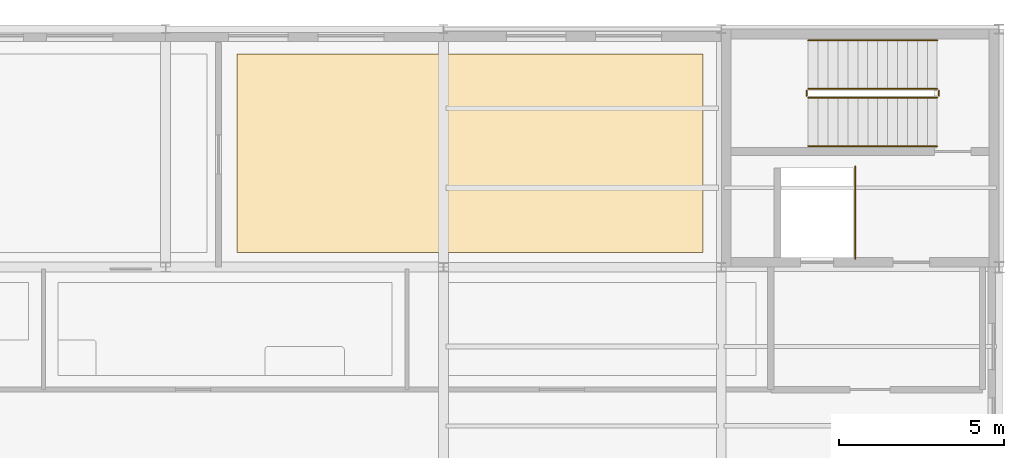
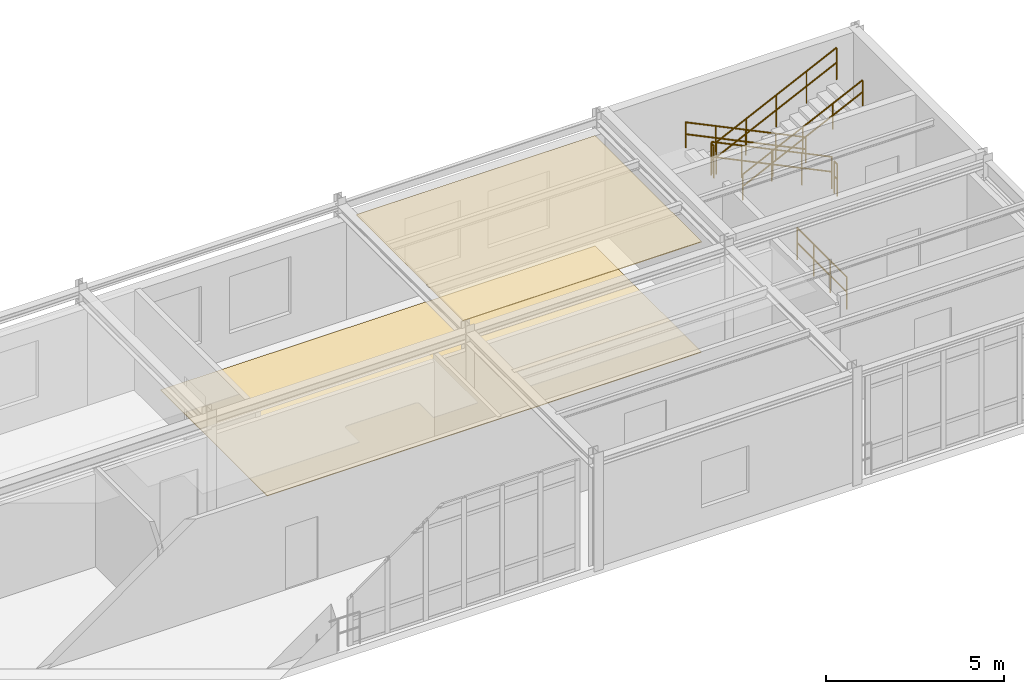
# One storey, part 20 of 20: 7 railings, 2 coverings.
"""IFC4 building model written with IfcOpenShell, lengths in metres."""

from ifc_helpers import new_model, si_unit, derived_unit, direction, frame, origin, origin_2d, place, context, subcontext, project, spatial, polyline, circle, outline, extrude, material, layer, layer_set, type_object, element, save


model = new_model("IFC4")

# Units and contexts
model_context = context("Model", 3, precision=1e-05, world=origin(), true_north=direction((0.0, 1.0)))
body_context = subcontext(model_context, "Body", "Model", "MODEL_VIEW")
ifc_project = project(units=[si_unit("LENGTHUNIT", "METRE"), si_unit("AREAUNIT", "SQUARE_METRE"), si_unit("VOLUMEUNIT", "CUBIC_METRE"), si_unit("PLANEANGLEUNIT", "RADIAN"), si_unit("MASSUNIT", "GRAM", prefix="KILO"), derived_unit("THERMALTRANSMITTANCEUNIT", [(si_unit("POWERUNIT", "WATT"), 1), (si_unit("AREAUNIT", "SQUARE_METRE"), -1), (si_unit("THERMODYNAMICTEMPERATUREUNIT", "KELVIN"), -1)])], contexts=[model_context])

# Site, building, storey
site_placement = place(None, origin())
site = spatial("IfcSite", under=ifc_project, at=site_placement, CompositionType="ELEMENT")
building_placement = place(site_placement, origin())
building = spatial("IfcBuilding", under=site, at=building_placement, Name="Yasenodar Specialist Clinic", CompositionType="ELEMENT")
storey_placement = place(building_placement, frame((0.0, 0.0, 25.35009765625)))
storey = spatial("IfcBuildingStorey", under=building, at=storey_placement, Name="L06", CompositionType="ELEMENT", Elevation=25.35009765625)

# Coverings
ifc_material_1 = material(Name="Hygienic Acoustic Mineral-Fibre Ceiling")
ifc_layer_1 = layer(ifc_material_1, 0.02490234375)
ifc_layer_set_1 = layer_set([ifc_layer_1], Name="Hygienic Acoustic Mineral-Fibre Ceiling")
covering_type_1 = type_object("IfcCoveringType", Name="COV-CEIL-AC", PredefinedType="CEILING", material=ifc_layer_set_1)
covering_1_placement = place(storey_placement, frame((0.0, 0.0, 3.784912109375)))
element("IfcCovering", 1, at=covering_1_placement, inside=storey, type_object=covering_type_1, Name="L06 Medical Ethics Seminar Room Acoustic Ceiling", PredefinedType="CEILING", context=body_context, shape_type="SweptSolid", body=[
    extrude(outline(polyline([(112.85009765625, 104.85009765625), (105.10009765625, 104.85009765625), (105.10009765625, 110.85009765625), (112.85009765625, 110.85009765625), (112.85009765625, 104.85009765625)])), origin(), (0.0, 0.0, 1.0), 0.02490234375),
])
ifc_material_2 = material(Name="Seamless Epoxy Terrazzo Clinical Flooring")
ifc_layer_2 = layer(ifc_material_2, 0.02001953125)
ifc_layer_set_2 = layer_set([ifc_layer_2], Name="Seamless Epoxy Terrazzo Clinical Flooring")
covering_type_2 = type_object("IfcCoveringType", Name="COV-FLR-TERR", PredefinedType="FLOORING", material=ifc_layer_set_2)
covering_2_placement = place(storey_placement, origin())
element("IfcCovering", 2, at=covering_2_placement, inside=storey, type_object=covering_type_2, Name="L06 Medical Ethics Seminar Room Terrazzo Flooring", PredefinedType="FLOORING", context=body_context, shape_type="SweptSolid", body=[
    extrude(outline(polyline([(112.85009765625, 104.85009765625), (98.75, 104.85009765625), (98.75, 110.85009765625), (112.85009765625, 110.85009765625), (112.85009765625, 104.85009765625)])), origin(), (0.0, 0.0, 1.0), 0.02001953125),
])

# Railings
ifc_material_3 = material(Name="Steel S355 Painted Guardrail", Category="steel")
railing_type_1 = type_object("IfcRailingType", Name="RL-GRD-1120", PredefinedType="GUARDRAIL", material=ifc_material_3)
railing_1_placement = place(storey_placement, frame((117.449951171875, 104.64990234375, 0.0)))
element("IfcRailing", 3, at=railing_1_placement, inside=storey, type_object=railing_type_1, Name="L06 Core C5 Lift LF-08 Shaft Guardrail", PredefinedType="GUARDRAIL", context=body_context, shape_type="SweptSolid", body=[
    extrude(circle(Radius=0.02392578125, at=origin_2d()), frame((0.0, 0.0, 1.09619140625), z_axis=(0.0, 1.0, 0.0), x_axis=(-1.0, 0.0, 0.0)), (0.0, 0.0, 1.0), 2.800048828125),
    extrude(circle(Radius=0.02392578125, at=origin_2d()), frame((0.0, 0.0, 0.58251953125), z_axis=(0.0, 1.0, 0.0), x_axis=(-1.0, 0.0, 0.0)), (0.0, 0.0, 1.0), 2.800048828125),
    extrude(circle(Radius=0.02099609375, at=origin_2d()), origin(), (0.0, 0.0, 1.0), 1.072021484375),
    extrude(circle(Radius=0.02099609375, at=origin_2d()), frame((0.0, 0.933349609375, 0.0)), (0.0, 0.0, 1.0), 1.072021484375),
    extrude(circle(Radius=0.02099609375, at=origin_2d()), frame((0.0, 1.86669921875, 0.0)), (0.0, 0.0, 1.0), 1.072021484375),
    extrude(circle(Radius=0.02099609375, at=origin_2d()), frame((0.0, 2.800048828125, 0.0)), (0.0, 0.0, 1.0), 1.072021484375),
])
ifc_material_4 = material(Name="Steel S355 Painted Stair Guardrail", Category="steel")
railing_type_2 = type_object("IfcRailingType", Name="RL-ST-GRD", PredefinedType="GUARDRAIL", material=ifc_material_4)
railing_2_placement = place(storey_placement, frame((119.929931640625, 109.7900390625, 0.14453125)))
element("IfcRailing", 4, at=railing_2_placement, inside=storey, type_object=railing_type_2, Name="L06 ST-05 stair guard 1", PredefinedType="GUARDRAIL", context=body_context, shape_type="SweptSolid", body=[
    extrude(circle(Radius=0.02392578125, at=origin_2d()), frame((0.0, 0.0, 1.09619140625), z_axis=(-0.900763166376, 0.0, 0.434310623978), x_axis=(0.0, -1.0, 0.0)), (0.0, 0.0, 1.0), 4.32958984375),
    extrude(circle(Radius=0.02392578125, at=origin_2d()), frame((0.0, 0.0, 0.58251953125), z_axis=(-0.900763166376, 0.0, 0.434310623978), x_axis=(0.0, -1.0, 0.0)), (0.0, 0.0, 1.0), 4.32958984375),
    extrude(circle(Radius=0.02099609375, at=origin_2d()), origin(), (0.0, 0.0, 1.0), 1.072021484375),
    extrude(circle(Radius=0.02099609375, at=origin_2d()), frame((-0.97509765625, 0.0, 0.47021484375)), (0.0, 0.0, 1.0), 1.072021484375),
    extrude(circle(Radius=0.02099609375, at=origin_2d()), frame((-1.949951171875, 0.0, 0.940185546875)), (0.0, 0.0, 1.0), 1.072021484375),
    extrude(circle(Radius=0.02099609375, at=origin_2d()), frame((-2.9248046875, 0.0, 1.41015625)), (0.0, 0.0, 1.0), 1.072021484375),
    extrude(circle(Radius=0.02099609375, at=origin_2d()), frame((-3.89990234375, 0.0, 1.88037109375)), (0.0, 0.0, 1.0), 1.072021484375),
])
railing_3_placement = place(storey_placement, frame((115.97998046875, 109.739990234375, 2.02490234375)))
element("IfcRailing", 5, at=railing_3_placement, inside=storey, type_object=railing_type_2, Name="L06 ST-05 stair guard 2", PredefinedType="GUARDRAIL", context=body_context, shape_type="SweptSolid", body=[
    extrude(circle(Radius=0.02392578125, at=origin_2d()), frame((0.0, 0.0, 1.09619140625), z_axis=(0.0, -1.0, 0.0), x_axis=(1.0, 0.0, 0.0)), (0.0, 0.0, 1.0), 0.159912109375),
    extrude(circle(Radius=0.02392578125, at=origin_2d()), frame((0.0, 0.0, 0.58251953125), z_axis=(0.0, -1.0, 0.0), x_axis=(1.0, 0.0, 0.0)), (0.0, 0.0, 1.0), 0.159912109375),
    extrude(circle(Radius=0.02099609375, at=origin_2d()), origin(), (0.0, 0.0, 1.0), 1.072021484375),
    extrude(circle(Radius=0.02099609375, at=origin_2d()), frame((0.0, -0.159912109375, 0.0)), (0.0, 0.0, 1.0), 1.072021484375),
])
railing_4_placement = place(storey_placement, frame((116.030029296875, 109.530029296875, 2.16943359375)))
element("IfcRailing", 6, at=railing_4_placement, inside=storey, type_object=railing_type_2, Name="L06 ST-05 stair guard 3", PredefinedType="GUARDRAIL", context=body_context, shape_type="SweptSolid", body=[
    extrude(circle(Radius=0.02392578125, at=origin_2d()), frame((0.0, 0.0, 1.09619140625), z_axis=(0.900763166376, 0.0, 0.434310623978), x_axis=(0.0, 1.0, 0.0)), (0.0, 0.0, 1.0), 4.32958984375),
    extrude(circle(Radius=0.02392578125, at=origin_2d()), frame((0.0, 0.0, 0.58251953125), z_axis=(0.900763166376, 0.0, 0.434310623978), x_axis=(0.0, 1.0, 0.0)), (0.0, 0.0, 1.0), 4.32958984375),
    extrude(circle(Radius=0.02099609375, at=origin_2d()), origin(), (0.0, 0.0, 1.0), 1.072021484375),
    extrude(circle(Radius=0.02099609375, at=origin_2d()), frame((0.97509765625, 0.0, 0.47021484375)), (0.0, 0.0, 1.0), 1.072021484375),
    extrude(circle(Radius=0.02099609375, at=origin_2d()), frame((1.949951171875, 0.0, 0.940185546875)), (0.0, 0.0, 1.0), 1.072021484375),
    extrude(circle(Radius=0.02099609375, at=origin_2d()), frame((2.9248046875, 0.0, 1.41015625)), (0.0, 0.0, 1.0), 1.072021484375),
    extrude(circle(Radius=0.02099609375, at=origin_2d()), frame((3.89990234375, 0.0, 1.88037109375)), (0.0, 0.0, 1.0), 1.072021484375),
])
railing_5_placement = place(storey_placement, frame((119.97998046875, 109.739990234375, 0.0)))
element("IfcRailing", 7, at=railing_5_placement, inside=storey, type_object=railing_type_2, Name="L06 ST-05 stair guard 4", PredefinedType="GUARDRAIL", context=body_context, shape_type="SweptSolid", body=[
    extrude(circle(Radius=0.02392578125, at=origin_2d()), frame((0.0, 0.0, 1.09619140625), z_axis=(0.0, -1.0, 0.0), x_axis=(1.0, 0.0, 0.0)), (0.0, 0.0, 1.0), 0.159912109375),
    extrude(circle(Radius=0.02392578125, at=origin_2d()), frame((0.0, 0.0, 0.58251953125), z_axis=(0.0, -1.0, 0.0), x_axis=(1.0, 0.0, 0.0)), (0.0, 0.0, 1.0), 0.159912109375),
    extrude(circle(Radius=0.02099609375, at=origin_2d()), origin(), (0.0, 0.0, 1.0), 1.072021484375),
    extrude(circle(Radius=0.02099609375, at=origin_2d()), frame((0.0, -0.159912109375, 0.0)), (0.0, 0.0, 1.0), 1.072021484375),
])
ifc_material_5 = material(Name="Brushed Stainless Steel Handrail", Category="steel")
railing_type_3 = type_object("IfcRailingType", Name="RL-ST-HND", PredefinedType="HANDRAIL", material=ifc_material_5)
railing_6_placement = place(storey_placement, frame((119.929931640625, 111.260009765625, 0.14453125)))
element("IfcRailing", 8, at=railing_6_placement, inside=storey, type_object=railing_type_3, Name="L06 ST-05 stair handrail 1", PredefinedType="HANDRAIL", context=body_context, shape_type="SweptSolid", body=[
    extrude(circle(Radius=0.02392578125, at=origin_2d()), frame((0.0, 0.0, 0.8759765625), z_axis=(-0.900763166376, 0.0, 0.434310623978), x_axis=(0.0, -1.0, 0.0)), (0.0, 0.0, 1.0), 4.32958984375),
    extrude(circle(Radius=0.02392578125, at=origin_2d()), frame((0.0, 0.0, 0.468017578125), z_axis=(-0.900763166376, 0.0, 0.434310623978), x_axis=(0.0, -1.0, 0.0)), (0.0, 0.0, 1.0), 4.32958984375),
    extrude(circle(Radius=0.02099609375, at=origin_2d()), origin(), (0.0, 0.0, 1.0), 0.851806640625),
    extrude(circle(Radius=0.02099609375, at=origin_2d()), frame((-0.97509765625, 0.0, 0.47021484375)), (0.0, 0.0, 1.0), 0.851806640625),
    extrude(circle(Radius=0.02099609375, at=origin_2d()), frame((-1.949951171875, 0.0, 0.940185546875)), (0.0, 0.0, 1.0), 0.851806640625),
    extrude(circle(Radius=0.02099609375, at=origin_2d()), frame((-2.9248046875, 0.0, 1.41015625)), (0.0, 0.0, 1.0), 0.851806640625),
    extrude(circle(Radius=0.02099609375, at=origin_2d()), frame((-3.89990234375, 0.0, 1.88037109375)), (0.0, 0.0, 1.0), 0.851806640625),
])
railing_7_placement = place(storey_placement, frame((116.030029296875, 108.06005859375, 2.16943359375)))
element("IfcRailing", 9, at=railing_7_placement, inside=storey, type_object=railing_type_3, Name="L06 ST-05 stair handrail 2", PredefinedType="HANDRAIL", context=body_context, shape_type="SweptSolid", body=[
    extrude(circle(Radius=0.02392578125, at=origin_2d()), frame((0.0, 0.0, 0.8759765625), z_axis=(0.900763166376, 0.0, 0.434310623978), x_axis=(0.0, 1.0, 0.0)), (0.0, 0.0, 1.0), 4.32958984375),
    extrude(circle(Radius=0.02392578125, at=origin_2d()), frame((0.0, 0.0, 0.468017578125), z_axis=(0.900763166376, 0.0, 0.434310623978), x_axis=(0.0, 1.0, 0.0)), (0.0, 0.0, 1.0), 4.32958984375),
    extrude(circle(Radius=0.02099609375, at=origin_2d()), origin(), (0.0, 0.0, 1.0), 0.851806640625),
    extrude(circle(Radius=0.02099609375, at=origin_2d()), frame((0.97509765625, 0.0, 0.47021484375)), (0.0, 0.0, 1.0), 0.851806640625),
    extrude(circle(Radius=0.02099609375, at=origin_2d()), frame((1.949951171875, 0.0, 0.940185546875)), (0.0, 0.0, 1.0), 0.851806640625),
    extrude(circle(Radius=0.02099609375, at=origin_2d()), frame((2.9248046875, 0.0, 1.41015625)), (0.0, 0.0, 1.0), 0.851806640625),
    extrude(circle(Radius=0.02099609375, at=origin_2d()), frame((3.89990234375, 0.0, 1.88037109375)), (0.0, 0.0, 1.0), 0.851806640625),
])

save(model, "model.ifc")
